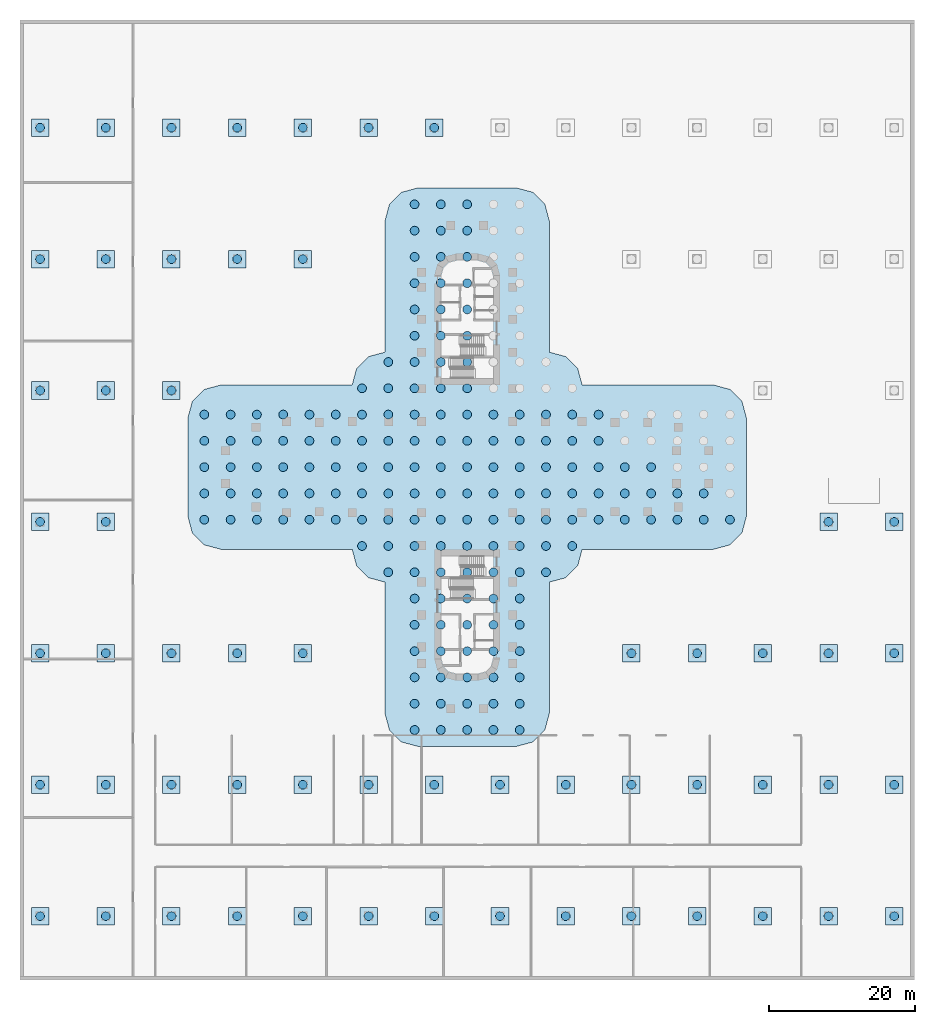
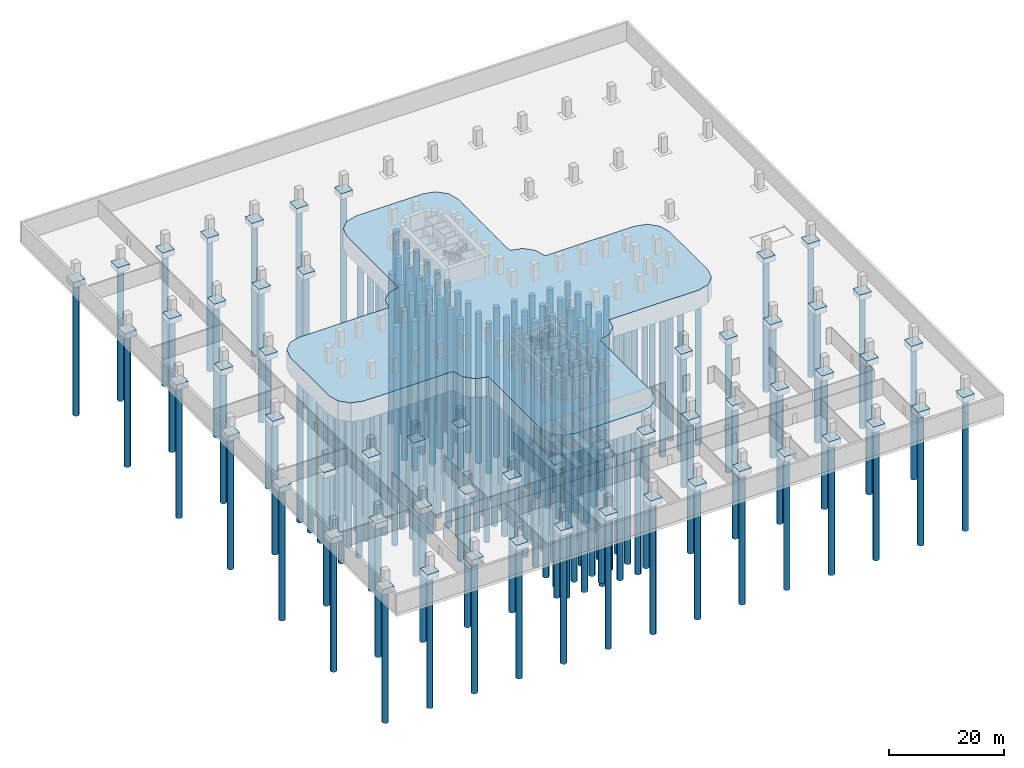
# One storey, part 1 of 14: 221 piles, 58 footings.
"""IFC4 building model written with IfcOpenShell, lengths in metres."""

from ifc_helpers import new_model, si_unit, direction, frame, origin, origin_2d, place, context, subcontext, project, spatial, polyline, rectangle, circle, outline, extrude, material, layer, layer_set, material_profile, profile_set, type_object, element, save


model = new_model("IFC4")

# Units and contexts
model_context = context("Model", 3, precision=1e-05, world=origin(), true_north=direction((0.0, 1.0)))
body_context = subcontext(model_context, "Body", "Model", "MODEL_VIEW")
ifc_project = project(units=[si_unit("LENGTHUNIT", "METRE"), si_unit("AREAUNIT", "SQUARE_METRE"), si_unit("VOLUMEUNIT", "CUBIC_METRE"), si_unit("PLANEANGLEUNIT", "RADIAN"), si_unit("MASSUNIT", "GRAM", prefix="KILO")], contexts=[model_context])

# Site, building, storey
site_placement = place(None, origin())
site = spatial("IfcSite", under=ifc_project, at=site_placement, CompositionType="ELEMENT")
building_placement = place(site_placement, origin())
building = spatial("IfcBuilding", under=site, at=building_placement, Name="Zarbagh Exchange Tower", CompositionType="ELEMENT")
storey_placement = place(building_placement, frame((0.0, 0.0, -8.0)))
storey = spatial("IfcBuildingStorey", under=building, at=storey_placement, Name="B2", CompositionType="ELEMENT", Elevation=-8.0)

# Piles
ifc_material = material(Name="Concrete C40/50", Category="concrete")
ifc_material_profile = material_profile(ifc_material, circle(Radius=0.60009765625, at=origin_2d()), Name="Bored pile 1200 C40/50")
ifc_profile_set = profile_set([ifc_material_profile], Name="Concrete C40/50")
pile_type = type_object("IfcPileType", Name="Bored pile 1200 C40/50", PredefinedType="BORED", material=ifc_profile_set)
for number, where, z_axis, x_axis, name in (
    (1, (-36.0, -7.199951171875, -4.0), (0.0, 0.0, -1.0), (1.0, 0.0, 0.0), "Bored pile raft"),
    (2, (-36.0, -3.60009765625, -4.0), (0.0, 0.0, -1.0), (1.0, 0.0, 0.0), "Bored pile raft"),
    (3, (-36.0, 0.0, -4.0), (0.0, 0.0, -1.0), (1.0, 0.0, 0.0), "Bored pile raft"),
    (4, (-36.0, 3.60009765625, -4.0), (0.0, 0.0, -1.0), (1.0, 0.0, 0.0), "Bored pile raft"),
    (5, (-36.0, 7.199951171875, -4.0), (0.0, 0.0, -1.0), (1.0, 0.0, 0.0), "Bored pile raft"),
    (6, (-32.39990234375, -7.199951171875, -4.0), (0.0, 0.0, -1.0), (1.0, 0.0, 0.0), "Bored pile raft"),
    (7, (-32.39990234375, -3.60009765625, -4.0), (0.0, 0.0, -1.0), (1.0, 0.0, 0.0), "Bored pile raft"),
    (8, (-32.39990234375, 0.0, -4.0), (0.0, 0.0, -1.0), (1.0, 0.0, 0.0), "Bored pile raft"),
    (9, (-32.39990234375, 3.60009765625, -4.0), (0.0, 0.0, -1.0), (1.0, 0.0, 0.0), "Bored pile raft"),
    (10, (-32.39990234375, 7.199951171875, -4.0), (0.0, 0.0, -1.0), (1.0, 0.0, 0.0), "Bored pile raft"),
    (11, (-28.800048828125, -7.199951171875, -4.0), (0.0, 0.0, -1.0), (1.0, 0.0, 0.0), "Bored pile raft"),
    (12, (-28.800048828125, -3.60009765625, -4.0), (0.0, 0.0, -1.0), (1.0, 0.0, 0.0), "Bored pile raft"),
    (13, (-28.800048828125, 0.0, -4.0), (0.0, 0.0, -1.0), (1.0, 0.0, 0.0), "Bored pile raft"),
    (14, (-28.800048828125, 3.60009765625, -4.0), (0.0, 0.0, -1.0), (1.0, 0.0, 0.0), "Bored pile raft"),
    (15, (-28.800048828125, 7.199951171875, -4.0), (0.0, 0.0, -1.0), (1.0, 0.0, 0.0), "Bored pile raft"),
    (16, (-25.199951171875, -7.199951171875, -4.0), (0.0, 0.0, -1.0), (1.0, 0.0, 0.0), "Bored pile raft"),
    (17, (-25.199951171875, -3.60009765625, -4.0), (0.0, 0.0, -1.0), (1.0, 0.0, 0.0), "Bored pile raft"),
    (18, (-25.199951171875, 0.0, -4.0), (0.0, 0.0, -1.0), (1.0, 0.0, 0.0), "Bored pile raft"),
    (19, (-25.199951171875, 3.60009765625, -4.0), (0.0, 0.0, -1.0), (1.0, 0.0, 0.0), "Bored pile raft"),
    (20, (-25.199951171875, 7.199951171875, -4.0), (0.0, 0.0, -1.0), (1.0, 0.0, 0.0), "Bored pile raft"),
    (21, (-21.60009765625, -7.199951171875, -4.0), (0.0, 0.0, -1.0), (1.0, 0.0, 0.0), "Bored pile raft"),
    (22, (-21.60009765625, -3.60009765625, -4.0), (0.0, 0.0, -1.0), (1.0, 0.0, 0.0), "Bored pile raft"),
    (23, (-21.60009765625, 0.0, -4.0), (0.0, 0.0, -1.0), (1.0, 0.0, 0.0), "Bored pile raft"),
    (24, (-21.60009765625, 3.60009765625, -4.0), (0.0, 0.0, -1.0), (1.0, 0.0, 0.0), "Bored pile raft"),
    (25, (-21.60009765625, 7.199951171875, -4.0), (0.0, 0.0, -1.0), (1.0, 0.0, 0.0), "Bored pile raft"),
    (26, (-18.0, -7.199951171875, -4.0), (0.0, 0.0, -1.0), (1.0, 0.0, 0.0), "Bored pile raft"),
    (27, (-18.0, -3.60009765625, -4.0), (0.0, 0.0, -1.0), (1.0, 0.0, 0.0), "Bored pile raft"),
    (28, (-18.0, 0.0, -4.0), (0.0, 0.0, -1.0), (1.0, 0.0, 0.0), "Bored pile raft"),
    (29, (-18.0, 3.60009765625, -4.0), (0.0, 0.0, -1.0), (1.0, 0.0, 0.0), "Bored pile raft"),
    (30, (-18.0, 7.199951171875, -4.0), (0.0, 0.0, -1.0), (1.0, 0.0, 0.0), "Bored pile raft"),
    (31, (-14.39990234375, -10.800048828125, -4.0), (0.0, 0.0, -1.0), (1.0, 0.0, 0.0), "Bored pile raft"),
    (32, (-14.39990234375, -7.199951171875, -4.0), (0.0, 0.0, -1.0), (1.0, 0.0, 0.0), "Bored pile raft"),
    (33, (-14.39990234375, -3.60009765625, -4.0), (0.0, 0.0, -1.0), (1.0, 0.0, 0.0), "Bored pile raft"),
    (34, (-14.39990234375, 0.0, -4.0), (0.0, 0.0, -1.0), (1.0, 0.0, 0.0), "Bored pile raft"),
    (35, (-14.39990234375, 3.60009765625, -4.0), (0.0, 0.0, -1.0), (1.0, 0.0, 0.0), "Bored pile raft"),
    (36, (-14.39990234375, 7.199951171875, -4.0), (0.0, 0.0, -1.0), (1.0, 0.0, 0.0), "Bored pile raft"),
    (37, (-14.39990234375, 10.800048828125, -4.0), (0.0, 0.0, -1.0), (1.0, 0.0, 0.0), "Bored pile raft"),
    (38, (-10.800048828125, -14.39990234375, -4.0), (0.0, 0.0, -1.0), (1.0, 0.0, 0.0), "Bored pile raft"),
    (39, (-10.800048828125, -10.800048828125, -4.0), (0.0, 0.0, -1.0), (1.0, 0.0, 0.0), "Bored pile raft"),
    (40, (-10.800048828125, -7.199951171875, -4.0), (0.0, 0.0, -1.0), (1.0, 0.0, 0.0), "Bored pile raft"),
    (41, (-10.800048828125, -3.60009765625, -4.0), (0.0, 0.0, -1.0), (1.0, 0.0, 0.0), "Bored pile raft"),
    (42, (-10.800048828125, 0.0, -4.0), (0.0, 0.0, -1.0), (1.0, 0.0, 0.0), "Bored pile raft"),
    (43, (-10.800048828125, 3.60009765625, -4.0), (0.0, 0.0, -1.0), (1.0, 0.0, 0.0), "Bored pile raft"),
    (44, (-10.800048828125, 7.199951171875, -4.0), (0.0, 0.0, -1.0), (1.0, 0.0, 0.0), "Bored pile raft"),
    (45, (-10.800048828125, 10.800048828125, -4.0), (0.0, 0.0, -1.0), (1.0, 0.0, 0.0), "Bored pile raft"),
    (46, (-10.800048828125, 14.39990234375, -4.0), (0.0, 0.0, -1.0), (1.0, 0.0, 0.0), "Bored pile raft"),
    (47, (-7.199951171875, -36.0, -4.0), (0.0, 0.0, -1.0), (1.0, 0.0, 0.0), "Bored pile raft"),
    (48, (-7.199951171875, -32.39990234375, -4.0), (0.0, 0.0, -1.0), (1.0, 0.0, 0.0), "Bored pile raft"),
    (49, (-7.199951171875, -28.800048828125, -4.0), (0.0, 0.0, -1.0), (1.0, 0.0, 0.0), "Bored pile raft"),
    (50, (-7.199951171875, -25.199951171875, -4.0), (0.0, 0.0, -1.0), (1.0, 0.0, 0.0), "Bored pile raft"),
    (51, (-7.199951171875, -21.60009765625, -4.0), (0.0, 0.0, -1.0), (1.0, 0.0, 0.0), "Bored pile raft"),
    (52, (-7.199951171875, -18.0, -4.0), (0.0, 0.0, -1.0), (1.0, 0.0, 0.0), "Bored pile raft"),
    (53, (-7.199951171875, -14.39990234375, -4.0), (0.0, 0.0, -1.0), (1.0, 0.0, 0.0), "Bored pile raft"),
    (54, (-7.199951171875, -10.800048828125, -4.0), (0.0, 0.0, -1.0), (1.0, 0.0, 0.0), "Bored pile raft"),
    (55, (-7.199951171875, -7.199951171875, -4.0), (0.0, 0.0, -1.0), (1.0, 0.0, 0.0), "Bored pile raft"),
    (56, (-7.199951171875, -3.60009765625, -4.0), (0.0, 0.0, -1.0), (1.0, 0.0, 0.0), "Bored pile raft"),
    (57, (-7.199951171875, 0.0, -4.0), (0.0, 0.0, -1.0), (1.0, 0.0, 0.0), "Bored pile raft"),
    (58, (-7.199951171875, 3.60009765625, -4.0), (0.0, 0.0, -1.0), (1.0, 0.0, 0.0), "Bored pile raft"),
    (59, (-7.199951171875, 7.199951171875, -4.0), (0.0, 0.0, -1.0), (1.0, 0.0, 0.0), "Bored pile raft"),
    (60, (-7.199951171875, 10.800048828125, -4.0), (0.0, 0.0, -1.0), (1.0, 0.0, 0.0), "Bored pile raft"),
    (61, (-7.199951171875, 14.39990234375, -4.0), (0.0, 0.0, -1.0), (1.0, 0.0, 0.0), "Bored pile raft"),
    (62, (-7.199951171875, 18.0, -4.0), (0.0, 0.0, -1.0), (1.0, 0.0, 0.0), "Bored pile raft"),
    (63, (-7.199951171875, 21.60009765625, -4.0), (0.0, 0.0, -1.0), (1.0, 0.0, 0.0), "Bored pile raft"),
    (64, (-7.199951171875, 25.199951171875, -4.0), (0.0, 0.0, -1.0), (1.0, 0.0, 0.0), "Bored pile raft"),
    (65, (-7.199951171875, 28.800048828125, -4.0), (0.0, 0.0, -1.0), (1.0, 0.0, 0.0), "Bored pile raft"),
    (66, (-7.199951171875, 32.39990234375, -4.0), (0.0, 0.0, -1.0), (1.0, 0.0, 0.0), "Bored pile raft"),
    (67, (-7.199951171875, 36.0, -4.0), (0.0, 0.0, -1.0), (1.0, 0.0, 0.0), "Bored pile raft"),
    (68, (-3.60009765625, -36.0, -4.0), (0.0, 0.0, -1.0), (1.0, 0.0, 0.0), "Bored pile raft"),
    (69, (-3.60009765625, -32.39990234375, -4.0), (0.0, 0.0, -1.0), (1.0, 0.0, 0.0), "Bored pile raft"),
    (70, (-3.60009765625, -28.800048828125, -4.0), (0.0, 0.0, -1.0), (1.0, 0.0, 0.0), "Bored pile raft"),
    (71, (-3.60009765625, -25.199951171875, -4.0), (0.0, 0.0, -1.0), (1.0, 0.0, 0.0), "Bored pile raft"),
    (72, (-3.60009765625, -21.60009765625, -4.0), (0.0, 0.0, -1.0), (1.0, 0.0, 0.0), "Bored pile raft"),
    (73, (-3.60009765625, -18.0, -4.0), (0.0, 0.0, -1.0), (1.0, 0.0, 0.0), "Bored pile raft"),
    (74, (-3.60009765625, -14.39990234375, -4.0), (0.0, 0.0, -1.0), (1.0, 0.0, 0.0), "Bored pile raft"),
    (75, (-3.60009765625, -10.800048828125, -4.0), (0.0, 0.0, -1.0), (1.0, 0.0, 0.0), "Bored pile raft"),
    (76, (-3.60009765625, -7.199951171875, -4.0), (0.0, 0.0, -1.0), (1.0, 0.0, 0.0), "Bored pile raft"),
    (77, (-3.60009765625, -3.60009765625, -4.0), (0.0, 0.0, -1.0), (1.0, 0.0, 0.0), "Bored pile raft"),
    (78, (-3.60009765625, 0.0, -4.0), (0.0, 0.0, -1.0), (1.0, 0.0, 0.0), "Bored pile raft"),
    (79, (-3.60009765625, 3.60009765625, -4.0), (0.0, 0.0, -1.0), (1.0, 0.0, 0.0), "Bored pile raft"),
    (80, (-3.60009765625, 7.199951171875, -4.0), (0.0, 0.0, -1.0), (1.0, 0.0, 0.0), "Bored pile raft"),
    (81, (-3.60009765625, 10.800048828125, -4.0), (0.0, 0.0, -1.0), (1.0, 0.0, 0.0), "Bored pile raft"),
    (82, (-3.60009765625, 14.39990234375, -4.0), (0.0, 0.0, -1.0), (1.0, 0.0, 0.0), "Bored pile raft"),
    (83, (-3.60009765625, 18.0, -4.0), (0.0, 0.0, -1.0), (1.0, 0.0, 0.0), "Bored pile raft"),
    (84, (-3.60009765625, 21.60009765625, -4.0), (0.0, 0.0, -1.0), (1.0, 0.0, 0.0), "Bored pile raft"),
    (85, (-3.60009765625, 25.199951171875, -4.0), (0.0, 0.0, -1.0), (1.0, 0.0, 0.0), "Bored pile raft"),
    (86, (-3.60009765625, 28.800048828125, -4.0), (0.0, 0.0, -1.0), (1.0, 0.0, 0.0), "Bored pile raft"),
    (87, (-3.60009765625, 32.39990234375, -4.0), (0.0, 0.0, -1.0), (1.0, 0.0, 0.0), "Bored pile raft"),
    (88, (-3.60009765625, 36.0, -4.0), (0.0, 0.0, -1.0), (1.0, 0.0, 0.0), "Bored pile raft"),
    (89, (0.0, -36.0, -4.0), (0.0, 0.0, -1.0), (1.0, 0.0, 0.0), "Bored pile raft"),
    (90, (0.0, -32.39990234375, -4.0), (0.0, 0.0, -1.0), (1.0, 0.0, 0.0), "Bored pile raft"),
    (91, (0.0, -28.800048828125, -4.0), (0.0, 0.0, -1.0), (1.0, 0.0, 0.0), "Bored pile raft"),
    (92, (0.0, -25.199951171875, -4.0), (0.0, 0.0, -1.0), (1.0, 0.0, 0.0), "Bored pile raft"),
    (93, (0.0, -21.60009765625, -4.0), (0.0, 0.0, -1.0), (1.0, 0.0, 0.0), "Bored pile raft"),
    (94, (0.0, -18.0, -4.0), (0.0, 0.0, -1.0), (1.0, 0.0, 0.0), "Bored pile raft"),
    (95, (0.0, -14.39990234375, -4.0), (0.0, 0.0, -1.0), (1.0, 0.0, 0.0), "Bored pile raft"),
    (96, (0.0, -10.800048828125, -4.0), (0.0, 0.0, -1.0), (1.0, 0.0, 0.0), "Bored pile raft"),
    (97, (0.0, -7.199951171875, -4.0), (0.0, 0.0, -1.0), (1.0, 0.0, 0.0), "Bored pile raft"),
    (98, (0.0, -3.60009765625, -4.0), (0.0, 0.0, -1.0), (1.0, 0.0, 0.0), "Bored pile raft"),
    (99, (0.0, 0.0, -4.0), (0.0, 0.0, -1.0), (1.0, 0.0, 0.0), "Bored pile raft"),
    (100, (0.0, 3.60009765625, -4.0), (0.0, 0.0, -1.0), (1.0, 0.0, 0.0), "Bored pile raft"),
    (101, (0.0, 7.199951171875, -4.0), (0.0, 0.0, -1.0), (1.0, 0.0, 0.0), "Bored pile raft"),
    (102, (0.0, 10.800048828125, -4.0), (0.0, 0.0, -1.0), (1.0, 0.0, 0.0), "Bored pile raft"),
    (103, (0.0, 14.39990234375, -4.0), (0.0, 0.0, -1.0), (1.0, 0.0, 0.0), "Bored pile raft"),
    (104, (0.0, 18.0, -4.0), (0.0, 0.0, -1.0), (1.0, 0.0, 0.0), "Bored pile raft"),
    (105, (0.0, 21.60009765625, -4.0), (0.0, 0.0, -1.0), (1.0, 0.0, 0.0), "Bored pile raft"),
    (106, (0.0, 25.199951171875, -4.0), (0.0, 0.0, -1.0), (1.0, 0.0, 0.0), "Bored pile raft"),
    (107, (0.0, 28.800048828125, -4.0), (0.0, 0.0, -1.0), (1.0, 0.0, 0.0), "Bored pile raft"),
    (108, (0.0, 32.39990234375, -4.0), (0.0, 0.0, -1.0), (1.0, 0.0, 0.0), "Bored pile raft"),
    (109, (0.0, 36.0, -4.0), (0.0, 0.0, -1.0), (1.0, 0.0, 0.0), "Bored pile raft"),
    (110, (3.60009765625, -36.0, -4.0), (0.0, 0.0, -1.0), (1.0, 0.0, 0.0), "Bored pile raft"),
    (111, (3.60009765625, -32.39990234375, -4.0), (0.0, 0.0, -1.0), (1.0, 0.0, 0.0), "Bored pile raft"),
    (112, (3.60009765625, -28.800048828125, -4.0), (0.0, 0.0, -1.0), (1.0, 0.0, 0.0), "Bored pile raft"),
    (113, (3.60009765625, -25.199951171875, -4.0), (0.0, 0.0, -1.0), (1.0, 0.0, 0.0), "Bored pile raft"),
    (114, (3.60009765625, -21.60009765625, -4.0), (0.0, 0.0, -1.0), (1.0, 0.0, 0.0), "Bored pile raft"),
    (115, (3.60009765625, -18.0, -4.0), (0.0, 0.0, -1.0), (1.0, 0.0, 0.0), "Bored pile raft"),
    (116, (3.60009765625, -14.39990234375, -4.0), (0.0, 0.0, -1.0), (1.0, 0.0, 0.0), "Bored pile raft"),
    (117, (3.60009765625, -10.800048828125, -4.0), (0.0, 0.0, -1.0), (1.0, 0.0, 0.0), "Bored pile raft"),
    (118, (3.60009765625, -7.199951171875, -4.0), (0.0, 0.0, -1.0), (1.0, 0.0, 0.0), "Bored pile raft"),
    (119, (3.60009765625, -3.60009765625, -4.0), (0.0, 0.0, -1.0), (1.0, 0.0, 0.0), "Bored pile raft"),
    (120, (3.60009765625, 0.0, -4.0), (0.0, 0.0, -1.0), (1.0, 0.0, 0.0), "Bored pile raft"),
    (121, (3.60009765625, 3.60009765625, -4.0), (0.0, 0.0, -1.0), (1.0, 0.0, 0.0), "Bored pile raft"),
    (122, (3.60009765625, 7.199951171875, -4.0), (0.0, 0.0, -1.0), (1.0, 0.0, 0.0), "Bored pile raft"),
    (123, (7.199951171875, -36.0, -4.0), (0.0, 0.0, -1.0), (1.0, 0.0, 0.0), "Bored pile raft"),
    (124, (7.199951171875, -32.39990234375, -4.0), (0.0, 0.0, -1.0), (1.0, 0.0, 0.0), "Bored pile raft"),
    (125, (7.199951171875, -28.800048828125, -4.0), (0.0, 0.0, -1.0), (1.0, 0.0, 0.0), "Bored pile raft"),
    (126, (7.199951171875, -25.199951171875, -4.0), (0.0, 0.0, -1.0), (1.0, 0.0, 0.0), "Bored pile raft"),
    (127, (7.199951171875, -21.60009765625, -4.0), (0.0, 0.0, -1.0), (1.0, 0.0, 0.0), "Bored pile raft"),
    (128, (7.199951171875, -18.0, -4.0), (0.0, 0.0, -1.0), (1.0, 0.0, 0.0), "Bored pile raft"),
    (129, (7.199951171875, -14.39990234375, -4.0), (0.0, 0.0, -1.0), (1.0, 0.0, 0.0), "Bored pile raft"),
    (130, (7.199951171875, -10.800048828125, -4.0), (0.0, 0.0, -1.0), (1.0, 0.0, 0.0), "Bored pile raft"),
    (131, (7.199951171875, -7.199951171875, -4.0), (0.0, 0.0, -1.0), (1.0, 0.0, 0.0), "Bored pile raft"),
    (132, (7.199951171875, -3.60009765625, -4.0), (0.0, 0.0, -1.0), (1.0, 0.0, 0.0), "Bored pile raft"),
    (133, (7.199951171875, 0.0, -4.0), (0.0, 0.0, -1.0), (1.0, 0.0, 0.0), "Bored pile raft"),
    (134, (7.199951171875, 3.60009765625, -4.0), (0.0, 0.0, -1.0), (1.0, 0.0, 0.0), "Bored pile raft"),
    (135, (7.199951171875, 7.199951171875, -4.0), (0.0, 0.0, -1.0), (1.0, 0.0, 0.0), "Bored pile raft"),
    (136, (10.800048828125, -14.39990234375, -4.0), (0.0, 0.0, -1.0), (1.0, 0.0, 0.0), "Bored pile raft"),
    (137, (10.800048828125, -10.800048828125, -4.0), (0.0, 0.0, -1.0), (1.0, 0.0, 0.0), "Bored pile raft"),
    (138, (10.800048828125, -7.199951171875, -4.0), (0.0, 0.0, -1.0), (1.0, 0.0, 0.0), "Bored pile raft"),
    (139, (10.800048828125, -3.60009765625, -4.0), (0.0, 0.0, -1.0), (1.0, 0.0, 0.0), "Bored pile raft"),
    (140, (10.800048828125, 0.0, -4.0), (0.0, 0.0, -1.0), (1.0, 0.0, 0.0), "Bored pile raft"),
    (141, (10.800048828125, 3.60009765625, -4.0), (0.0, 0.0, -1.0), (1.0, 0.0, 0.0), "Bored pile raft"),
    (142, (10.800048828125, 7.199951171875, -4.0), (0.0, 0.0, -1.0), (1.0, 0.0, 0.0), "Bored pile raft"),
    (143, (14.39990234375, -10.800048828125, -4.0), (0.0, 0.0, -1.0), (1.0, 0.0, 0.0), "Bored pile raft"),
    (144, (14.39990234375, -7.199951171875, -4.0), (0.0, 0.0, -1.0), (1.0, 0.0, 0.0), "Bored pile raft"),
    (145, (14.39990234375, -3.60009765625, -4.0), (0.0, 0.0, -1.0), (1.0, 0.0, 0.0), "Bored pile raft"),
    (146, (14.39990234375, 0.0, -4.0), (0.0, 0.0, -1.0), (1.0, 0.0, 0.0), "Bored pile raft"),
    (147, (14.39990234375, 3.60009765625, -4.0), (0.0, 0.0, -1.0), (1.0, 0.0, 0.0), "Bored pile raft"),
    (148, (14.39990234375, 7.199951171875, -4.0), (0.0, 0.0, -1.0), (1.0, 0.0, 0.0), "Bored pile raft"),
    (149, (18.0, -7.199951171875, -4.0), (0.0, 0.0, -1.0), (1.0, 0.0, 0.0), "Bored pile raft"),
    (150, (18.0, -3.60009765625, -4.0), (0.0, 0.0, -1.0), (1.0, 0.0, 0.0), "Bored pile raft"),
    (151, (18.0, 0.0, -4.0), (0.0, 0.0, -1.0), (1.0, 0.0, 0.0), "Bored pile raft"),
    (152, (18.0, 3.60009765625, -4.0), (0.0, 0.0, -1.0), (1.0, 0.0, 0.0), "Bored pile raft"),
    (153, (18.0, 7.199951171875, -4.0), (0.0, 0.0, -1.0), (1.0, 0.0, 0.0), "Bored pile raft"),
    (154, (21.60009765625, -7.199951171875, -4.0), (0.0, 0.0, -1.0), (1.0, 0.0, 0.0), "Bored pile raft"),
    (155, (21.60009765625, -3.60009765625, -4.0), (0.0, 0.0, -1.0), (1.0, 0.0, 0.0), "Bored pile raft"),
    (156, (21.60009765625, 0.0, -4.0), (0.0, 0.0, -1.0), (1.0, 0.0, 0.0), "Bored pile raft"),
    (157, (25.199951171875, -7.199951171875, -4.0), (0.0, 0.0, -1.0), (1.0, 0.0, 0.0), "Bored pile raft"),
    (158, (25.199951171875, -3.60009765625, -4.0), (0.0, 0.0, -1.0), (1.0, 0.0, 0.0), "Bored pile raft"),
    (159, (25.199951171875, 0.0, -4.0), (0.0, 0.0, -1.0), (1.0, 0.0, 0.0), "Bored pile raft"),
    (160, (28.800048828125, -7.199951171875, -4.0), (0.0, 0.0, -1.0), (1.0, 0.0, 0.0), "Bored pile raft"),
    (161, (28.800048828125, -3.60009765625, -4.0), (0.0, 0.0, -1.0), (1.0, 0.0, 0.0), "Bored pile raft"),
    (162, (32.39990234375, -7.199951171875, -4.0), (0.0, 0.0, -1.0), (1.0, 0.0, 0.0), "Bored pile raft"),
    (163, (32.39990234375, -3.60009765625, -4.0), (0.0, 0.0, -1.0), (1.0, 0.0, 0.0), "Bored pile raft"),
    (164, (36.0, -7.199951171875, -4.0), (0.0, 0.0, -1.0), (1.0, 0.0, 0.0), "Bored pile raft"),
):
    element("IfcPile", number, at=place(storey_placement, frame(where, z_axis=z_axis, x_axis=x_axis)), inside=storey, type_object=pile_type, Name=name, PredefinedType="BORED", context=body_context, shape_type="SweptSolid", body=[
        extrude(circle(Radius=0.60009765625, at=origin_2d()), origin(), (0.0, 0.0, 1.0), 32.0),
    ])
for number, where, z_axis, x_axis, name in (
    (165, (-58.5, -61.5, -1.199951171875), (0.0, 0.0, -1.0), (1.0, 0.0, 0.0), "Bored pile pad"),
    (166, (-58.5, -43.5, -1.199951171875), (0.0, 0.0, -1.0), (1.0, 0.0, 0.0), "Bored pile pad"),
    (167, (-58.5, -25.5, -1.199951171875), (0.0, 0.0, -1.0), (1.0, 0.0, 0.0), "Bored pile pad"),
    (168, (-58.5, -7.5, -1.199951171875), (0.0, 0.0, -1.0), (1.0, 0.0, 0.0), "Bored pile pad"),
    (169, (-58.5, 10.5, -1.199951171875), (0.0, 0.0, -1.0), (1.0, 0.0, 0.0), "Bored pile pad"),
    (170, (-58.5, 28.5, -1.199951171875), (0.0, 0.0, -1.0), (1.0, 0.0, 0.0), "Bored pile pad"),
    (171, (-58.5, 46.5, -1.199951171875), (0.0, 0.0, -1.0), (1.0, 0.0, 0.0), "Bored pile pad"),
    (172, (-49.5, -61.5, -1.199951171875), (0.0, 0.0, -1.0), (1.0, 0.0, 0.0), "Bored pile pad"),
    (173, (-49.5, -43.5, -1.199951171875), (0.0, 0.0, -1.0), (1.0, 0.0, 0.0), "Bored pile pad"),
    (174, (-49.5, -25.5, -1.199951171875), (0.0, 0.0, -1.0), (1.0, 0.0, 0.0), "Bored pile pad"),
    (175, (-49.5, -7.5, -1.199951171875), (0.0, 0.0, -1.0), (1.0, 0.0, 0.0), "Bored pile pad"),
    (176, (-49.5, 10.5, -1.199951171875), (0.0, 0.0, -1.0), (1.0, 0.0, 0.0), "Bored pile pad"),
    (177, (-49.5, 28.5, -1.199951171875), (0.0, 0.0, -1.0), (1.0, 0.0, 0.0), "Bored pile pad"),
    (178, (-49.5, 46.5, -1.199951171875), (0.0, 0.0, -1.0), (1.0, 0.0, 0.0), "Bored pile pad"),
    (179, (-40.5, -61.5, -1.199951171875), (0.0, 0.0, -1.0), (1.0, 0.0, 0.0), "Bored pile pad"),
    (180, (-40.5, -43.5, -1.199951171875), (0.0, 0.0, -1.0), (1.0, 0.0, 0.0), "Bored pile pad"),
    (181, (-40.5, -25.5, -1.199951171875), (0.0, 0.0, -1.0), (1.0, 0.0, 0.0), "Bored pile pad"),
    (182, (-40.5, 10.5, -1.199951171875), (0.0, 0.0, -1.0), (1.0, 0.0, 0.0), "Bored pile pad"),
    (183, (-40.5, 28.5, -1.199951171875), (0.0, 0.0, -1.0), (1.0, 0.0, 0.0), "Bored pile pad"),
    (184, (-40.5, 46.5, -1.199951171875), (0.0, 0.0, -1.0), (1.0, 0.0, 0.0), "Bored pile pad"),
    (185, (-31.5, -61.5, -1.199951171875), (0.0, 0.0, -1.0), (1.0, 0.0, 0.0), "Bored pile pad"),
    (186, (-31.5, -43.5, -1.199951171875), (0.0, 0.0, -1.0), (1.0, 0.0, 0.0), "Bored pile pad"),
    (187, (-31.5, -25.5, -1.199951171875), (0.0, 0.0, -1.0), (1.0, 0.0, 0.0), "Bored pile pad"),
    (188, (-31.5, 28.5, -1.199951171875), (0.0, 0.0, -1.0), (1.0, 0.0, 0.0), "Bored pile pad"),
    (189, (-31.5, 46.5, -1.199951171875), (0.0, 0.0, -1.0), (1.0, 0.0, 0.0), "Bored pile pad"),
    (190, (-22.5, -61.5, -1.199951171875), (0.0, 0.0, -1.0), (1.0, 0.0, 0.0), "Bored pile pad"),
    (191, (-22.5, -43.5, -1.199951171875), (0.0, 0.0, -1.0), (1.0, 0.0, 0.0), "Bored pile pad"),
    (192, (-22.5, -25.5, -1.199951171875), (0.0, 0.0, -1.0), (1.0, 0.0, 0.0), "Bored pile pad"),
    (193, (-22.5, 28.5, -1.199951171875), (0.0, 0.0, -1.0), (1.0, 0.0, 0.0), "Bored pile pad"),
    (194, (-22.5, 46.5, -1.199951171875), (0.0, 0.0, -1.0), (1.0, 0.0, 0.0), "Bored pile pad"),
    (195, (-13.5, -61.5, -1.199951171875), (0.0, 0.0, -1.0), (1.0, 0.0, 0.0), "Bored pile pad"),
    (196, (-13.5, -43.5, -1.199951171875), (0.0, 0.0, -1.0), (1.0, 0.0, 0.0), "Bored pile pad"),
    (197, (-13.5, 46.5, -1.199951171875), (0.0, 0.0, -1.0), (1.0, 0.0, 0.0), "Bored pile pad"),
    (198, (-4.5, -61.5, -1.199951171875), (0.0, 0.0, -1.0), (1.0, 0.0, 0.0), "Bored pile pad"),
    (199, (-4.5, -43.5, -1.199951171875), (0.0, 0.0, -1.0), (1.0, 0.0, 0.0), "Bored pile pad"),
    (200, (-4.5, 46.5, -1.199951171875), (0.0, 0.0, -1.0), (1.0, 0.0, 0.0), "Bored pile pad"),
    (201, (4.5, -61.5, -1.199951171875), (0.0, 0.0, -1.0), (1.0, 0.0, 0.0), "Bored pile pad"),
    (202, (4.5, -43.5, -1.199951171875), (0.0, 0.0, -1.0), (1.0, 0.0, 0.0), "Bored pile pad"),
    (203, (13.5, -61.5, -1.199951171875), (0.0, 0.0, -1.0), (1.0, 0.0, 0.0), "Bored pile pad"),
    (204, (13.5, -43.5, -1.199951171875), (0.0, 0.0, -1.0), (1.0, 0.0, 0.0), "Bored pile pad"),
    (205, (22.5, -61.5, -1.199951171875), (0.0, 0.0, -1.0), (1.0, 0.0, 0.0), "Bored pile pad"),
    (206, (22.5, -43.5, -1.199951171875), (0.0, 0.0, -1.0), (1.0, 0.0, 0.0), "Bored pile pad"),
    (207, (22.5, -25.5, -1.199951171875), (0.0, 0.0, -1.0), (1.0, 0.0, 0.0), "Bored pile pad"),
    (208, (31.5, -61.5, -1.199951171875), (0.0, 0.0, -1.0), (1.0, 0.0, 0.0), "Bored pile pad"),
    (209, (31.5, -43.5, -1.199951171875), (0.0, 0.0, -1.0), (1.0, 0.0, 0.0), "Bored pile pad"),
    (210, (31.5, -25.5, -1.199951171875), (0.0, 0.0, -1.0), (1.0, 0.0, 0.0), "Bored pile pad"),
    (211, (40.5, -61.5, -1.199951171875), (0.0, 0.0, -1.0), (1.0, 0.0, 0.0), "Bored pile pad"),
    (212, (40.5, -43.5, -1.199951171875), (0.0, 0.0, -1.0), (1.0, 0.0, 0.0), "Bored pile pad"),
    (213, (40.5, -25.5, -1.199951171875), (0.0, 0.0, -1.0), (1.0, 0.0, 0.0), "Bored pile pad"),
    (214, (49.5, -61.5, -1.199951171875), (0.0, 0.0, -1.0), (1.0, 0.0, 0.0), "Bored pile pad"),
    (215, (49.5, -43.5, -1.199951171875), (0.0, 0.0, -1.0), (1.0, 0.0, 0.0), "Bored pile pad"),
    (216, (49.5, -25.5, -1.199951171875), (0.0, 0.0, -1.0), (1.0, 0.0, 0.0), "Bored pile pad"),
    (217, (49.5, -7.5, -1.199951171875), (0.0, 0.0, -1.0), (1.0, 0.0, 0.0), "Bored pile pad"),
    (218, (58.5, -61.5, -1.199951171875), (0.0, 0.0, -1.0), (1.0, 0.0, 0.0), "Bored pile pad"),
    (219, (58.5, -43.5, -1.199951171875), (0.0, 0.0, -1.0), (1.0, 0.0, 0.0), "Bored pile pad"),
    (220, (58.5, -25.5, -1.199951171875), (0.0, 0.0, -1.0), (1.0, 0.0, 0.0), "Bored pile pad"),
    (221, (58.5, -7.5, -1.199951171875), (0.0, 0.0, -1.0), (1.0, 0.0, 0.0), "Bored pile pad"),
):
    element("IfcPile", number, at=place(storey_placement, frame(where, z_axis=z_axis, x_axis=x_axis)), inside=storey, type_object=pile_type, Name=name, PredefinedType="BORED", context=body_context, shape_type="SweptSolid", body=[
        extrude(circle(Radius=0.60009765625, at=origin_2d()), origin(), (0.0, 0.0, 1.0), 28.0),
    ])

# Footings
ifc_layer_1 = layer(ifc_material, 1.199951171875)
ifc_layer_set_1 = layer_set([ifc_layer_1], Name="Pad footing 2400 x 2400 C40/50")
footing_type_1 = type_object("IfcFootingType", Name="Pad footing 2400 x 2400 C40/50", PredefinedType="PAD_FOOTING", material=ifc_layer_set_1)
for number, where, z_axis, x_axis, name in (
    (222, (-58.5, -61.5, -1.2001953125), (0.0, 0.0, 1.0), (1.0, 0.0, 0.0), "Pad footing"),
    (223, (-58.5, -43.5, -1.2001953125), (0.0, 0.0, 1.0), (1.0, 0.0, 0.0), "Pad footing"),
    (224, (-58.5, -25.5, -1.2001953125), (0.0, 0.0, 1.0), (1.0, 0.0, 0.0), "Pad footing"),
    (225, (-58.5, -7.5, -1.2001953125), (0.0, 0.0, 1.0), (1.0, 0.0, 0.0), "Pad footing"),
    (226, (-58.5, 10.5, -1.2001953125), (0.0, 0.0, 1.0), (1.0, 0.0, 0.0), "Pad footing"),
    (227, (-58.5, 28.5, -1.2001953125), (0.0, 0.0, 1.0), (1.0, 0.0, 0.0), "Pad footing"),
    (228, (-58.5, 46.5, -1.2001953125), (0.0, 0.0, 1.0), (1.0, 0.0, 0.0), "Pad footing"),
    (229, (-49.5, -61.5, -1.2001953125), (0.0, 0.0, 1.0), (1.0, 0.0, 0.0), "Pad footing"),
    (230, (-49.5, -43.5, -1.2001953125), (0.0, 0.0, 1.0), (1.0, 0.0, 0.0), "Pad footing"),
    (231, (-49.5, -25.5, -1.2001953125), (0.0, 0.0, 1.0), (1.0, 0.0, 0.0), "Pad footing"),
    (232, (-49.5, -7.5, -1.2001953125), (0.0, 0.0, 1.0), (1.0, 0.0, 0.0), "Pad footing"),
    (233, (-49.5, 10.5, -1.2001953125), (0.0, 0.0, 1.0), (1.0, 0.0, 0.0), "Pad footing"),
    (234, (-49.5, 28.5, -1.2001953125), (0.0, 0.0, 1.0), (1.0, 0.0, 0.0), "Pad footing"),
    (235, (-49.5, 46.5, -1.2001953125), (0.0, 0.0, 1.0), (1.0, 0.0, 0.0), "Pad footing"),
    (236, (-40.5, -61.5, -1.2001953125), (0.0, 0.0, 1.0), (1.0, 0.0, 0.0), "Pad footing"),
    (237, (-40.5, -43.5, -1.2001953125), (0.0, 0.0, 1.0), (1.0, 0.0, 0.0), "Pad footing"),
    (238, (-40.5, -25.5, -1.2001953125), (0.0, 0.0, 1.0), (1.0, 0.0, 0.0), "Pad footing"),
    (239, (-40.5, 10.5, -1.2001953125), (0.0, 0.0, 1.0), (1.0, 0.0, 0.0), "Pad footing"),
    (240, (-40.5, 28.5, -1.2001953125), (0.0, 0.0, 1.0), (1.0, 0.0, 0.0), "Pad footing"),
    (241, (-40.5, 46.5, -1.2001953125), (0.0, 0.0, 1.0), (1.0, 0.0, 0.0), "Pad footing"),
    (242, (-31.5, -61.5, -1.2001953125), (0.0, 0.0, 1.0), (1.0, 0.0, 0.0), "Pad footing"),
    (243, (-31.5, -43.5, -1.2001953125), (0.0, 0.0, 1.0), (1.0, 0.0, 0.0), "Pad footing"),
    (244, (-31.5, -25.5, -1.2001953125), (0.0, 0.0, 1.0), (1.0, 0.0, 0.0), "Pad footing"),
    (245, (-31.5, 28.5, -1.2001953125), (0.0, 0.0, 1.0), (1.0, 0.0, 0.0), "Pad footing"),
    (246, (-31.5, 46.5, -1.2001953125), (0.0, 0.0, 1.0), (1.0, 0.0, 0.0), "Pad footing"),
    (247, (-22.5, -61.5, -1.2001953125), (0.0, 0.0, 1.0), (1.0, 0.0, 0.0), "Pad footing"),
    (248, (-22.5, -43.5, -1.2001953125), (0.0, 0.0, 1.0), (1.0, 0.0, 0.0), "Pad footing"),
    (249, (-22.5, -25.5, -1.2001953125), (0.0, 0.0, 1.0), (1.0, 0.0, 0.0), "Pad footing"),
    (250, (-22.5, 28.5, -1.2001953125), (0.0, 0.0, 1.0), (1.0, 0.0, 0.0), "Pad footing"),
    (251, (-22.5, 46.5, -1.2001953125), (0.0, 0.0, 1.0), (1.0, 0.0, 0.0), "Pad footing"),
    (252, (-13.5, -61.5, -1.2001953125), (0.0, 0.0, 1.0), (1.0, 0.0, 0.0), "Pad footing"),
    (253, (-13.5, -43.5, -1.2001953125), (0.0, 0.0, 1.0), (1.0, 0.0, 0.0), "Pad footing"),
    (254, (-13.5, 46.5, -1.2001953125), (0.0, 0.0, 1.0), (1.0, 0.0, 0.0), "Pad footing"),
    (255, (-4.5, -61.5, -1.2001953125), (0.0, 0.0, 1.0), (1.0, 0.0, 0.0), "Pad footing"),
    (256, (-4.5, -43.5, -1.2001953125), (0.0, 0.0, 1.0), (1.0, 0.0, 0.0), "Pad footing"),
    (257, (-4.5, 46.5, -1.2001953125), (0.0, 0.0, 1.0), (1.0, 0.0, 0.0), "Pad footing"),
    (258, (4.5, -61.5, -1.2001953125), (0.0, 0.0, 1.0), (1.0, 0.0, 0.0), "Pad footing"),
    (259, (4.5, -43.5, -1.2001953125), (0.0, 0.0, 1.0), (1.0, 0.0, 0.0), "Pad footing"),
    (260, (13.5, -61.5, -1.2001953125), (0.0, 0.0, 1.0), (1.0, 0.0, 0.0), "Pad footing"),
    (261, (13.5, -43.5, -1.2001953125), (0.0, 0.0, 1.0), (1.0, 0.0, 0.0), "Pad footing"),
    (262, (22.5, -61.5, -1.2001953125), (0.0, 0.0, 1.0), (1.0, 0.0, 0.0), "Pad footing"),
    (263, (22.5, -43.5, -1.2001953125), (0.0, 0.0, 1.0), (1.0, 0.0, 0.0), "Pad footing"),
    (264, (22.5, -25.5, -1.2001953125), (0.0, 0.0, 1.0), (1.0, 0.0, 0.0), "Pad footing"),
    (265, (31.5, -61.5, -1.2001953125), (0.0, 0.0, 1.0), (1.0, 0.0, 0.0), "Pad footing"),
    (266, (31.5, -43.5, -1.2001953125), (0.0, 0.0, 1.0), (1.0, 0.0, 0.0), "Pad footing"),
    (267, (31.5, -25.5, -1.2001953125), (0.0, 0.0, 1.0), (1.0, 0.0, 0.0), "Pad footing"),
    (268, (40.5, -61.5, -1.2001953125), (0.0, 0.0, 1.0), (1.0, 0.0, 0.0), "Pad footing"),
    (269, (40.5, -43.5, -1.2001953125), (0.0, 0.0, 1.0), (1.0, 0.0, 0.0), "Pad footing"),
    (270, (40.5, -25.5, -1.2001953125), (0.0, 0.0, 1.0), (1.0, 0.0, 0.0), "Pad footing"),
    (271, (49.5, -61.5, -1.2001953125), (0.0, 0.0, 1.0), (1.0, 0.0, 0.0), "Pad footing"),
    (272, (49.5, -43.5, -1.2001953125), (0.0, 0.0, 1.0), (1.0, 0.0, 0.0), "Pad footing"),
    (273, (49.5, -25.5, -1.2001953125), (0.0, 0.0, 1.0), (1.0, 0.0, 0.0), "Pad footing"),
    (274, (49.5, -7.5, -1.2001953125), (0.0, 0.0, 1.0), (1.0, 0.0, 0.0), "Pad footing"),
    (275, (58.5, -61.5, -1.2001953125), (0.0, 0.0, 1.0), (1.0, 0.0, 0.0), "Pad footing"),
    (276, (58.5, -43.5, -1.2001953125), (0.0, 0.0, 1.0), (1.0, 0.0, 0.0), "Pad footing"),
    (277, (58.5, -25.5, -1.2001953125), (0.0, 0.0, 1.0), (1.0, 0.0, 0.0), "Pad footing"),
    (278, (58.5, -7.5, -1.2001953125), (0.0, 0.0, 1.0), (1.0, 0.0, 0.0), "Pad footing"),
):
    element("IfcFooting", number, at=place(storey_placement, frame(where, z_axis=z_axis, x_axis=x_axis)), inside=storey, type_object=footing_type_1, Name=name, PredefinedType="PAD_FOOTING", context=body_context, shape_type="SweptSolid", body=[
        extrude(rectangle(XDim=2.39990234375, YDim=2.39990234375, at=origin_2d()), origin(), (0.0, 0.0, 1.0), 1.199951171875),
    ])
ifc_layer_2 = layer(ifc_material, 4.0)
ifc_layer_set_2 = layer_set([ifc_layer_2], Name="Piled raft 4000 C40/50")
footing_type_2 = type_object("IfcFootingType", Name="Piled raft 4000 C40/50", PredefinedType="PILE_CAP", material=ifc_layer_set_2)
footing_placement = place(storey_placement, frame((0.0, 0.0, -4.0)))
element("IfcFooting", 279, at=footing_placement, inside=storey, type_object=footing_type_2, Name="Piled raft", PredefinedType="PILE_CAP", context=body_context, shape_type="SweptSolid", body=[
    extrude(outline(polyline([(6.75, -38.25), (-6.75, -38.25), (-9.0, -37.647216796875), (-10.647216796875, -36.0), (-11.25, -33.75), (-11.25, -15.75), (-13.5, -15.147216796875), (-15.147216796875, -13.5), (-15.75, -11.25), (-33.75, -11.25), (-36.0, -10.647216796875), (-37.647216796875, -9.0), (-38.25, -6.75), (-38.25, 6.75), (-37.647216796875, 9.0), (-36.0, 10.647216796875), (-33.75, 11.25), (-15.75, 11.25), (-15.147216796875, 13.5), (-13.5, 15.147216796875), (-11.25, 15.75), (-11.25, 33.75), (-10.647216796875, 36.0), (-9.0, 37.647216796875), (-6.75, 38.25), (6.75, 38.25), (9.0, 37.647216796875), (10.647216796875, 36.0), (11.25, 33.75), (11.25, 15.75), (13.5, 15.147216796875), (15.147216796875, 13.5), (15.75, 11.25), (33.75, 11.25), (36.0, 10.647216796875), (37.647216796875, 9.0), (38.25, 6.75), (38.25, -6.75), (37.647216796875, -9.0), (36.0, -10.647216796875), (33.75, -11.25), (15.75, -11.25), (15.147216796875, -13.5), (13.5, -15.147216796875), (11.25, -15.75), (11.25, -33.75), (10.647216796875, -36.0), (9.0, -37.647216796875), (6.75, -38.25)])), origin(), (0.0, 0.0, 1.0), 4.0),
])

save(model, "model.ifc")
